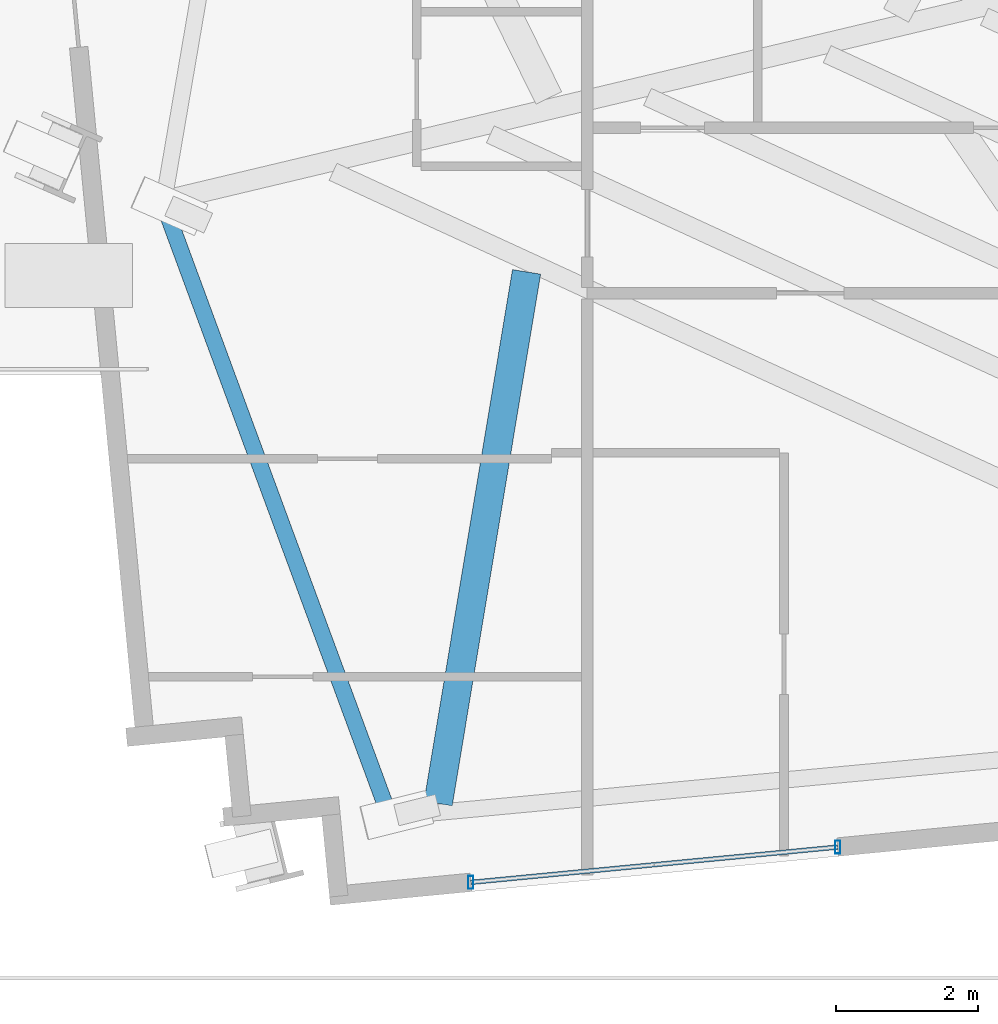
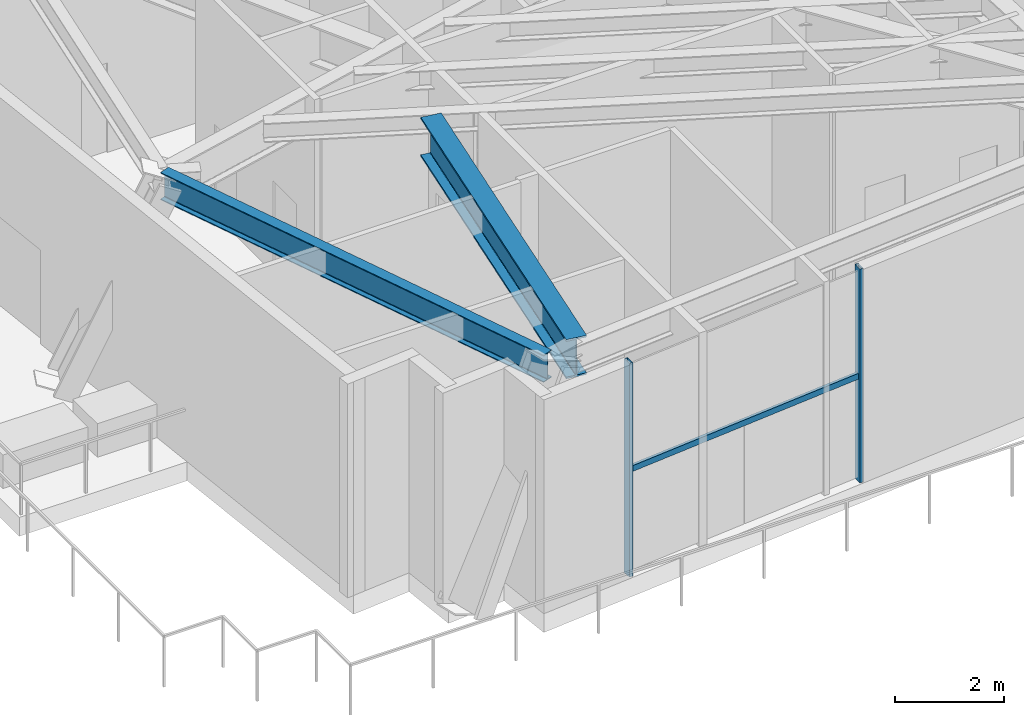
# One storey, part 2 of 28: 3 members, 2 beams, 1 element without a shape of its own.
"""IFC4 building model written with IfcOpenShell, lengths in metres."""

from ifc_helpers import new_model, si_unit, direction, frame, origin, origin_2d, place, context, subcontext, project, spatial, hollow_rectangle, i_section, extrude, source, transform, mapped, material, material_profile, profile_set, type_object, type_shapes, element, aggregate, save


model = new_model("IFC4")

# Units and contexts
model_context = context("Model", 3, precision=1e-05, world=origin(), true_north=direction((0.0, 1.0)))
body_context = subcontext(model_context, "Body", "Model", "MODEL_VIEW")
ifc_project = project(units=[si_unit("LENGTHUNIT", "METRE"), si_unit("AREAUNIT", "SQUARE_METRE"), si_unit("VOLUMEUNIT", "CUBIC_METRE"), si_unit("PLANEANGLEUNIT", "RADIAN"), si_unit("MASSUNIT", "GRAM", prefix="KILO")], contexts=[model_context])

# Site, building, storey
site_placement = place(None, origin())
site = spatial("IfcSite", under=ifc_project, at=site_placement, CompositionType="ELEMENT")
building_placement = place(site_placement, origin())
building = spatial("IfcBuilding", under=site, at=building_placement, Name="Astriad Promenade Condominiums", CompositionType="ELEMENT")
storey_placement = place(building_placement, frame((0.0, 0.0, 72.60009765625)))
storey = spatial("IfcBuildingStorey", under=building, at=storey_placement, Name="L20", CompositionType="ELEMENT", Elevation=72.60009765625)

# Beams
ifc_material_1 = material(Name="Steel ASTM A992 Grade 50", Category="steel")
ifc_material_profile_1 = material_profile(ifc_material_1, i_section(OverallWidth=0.22900390625, OverallDepth=0.612060546875, WebThickness=0.011962890625, FlangeThickness=0.01953125, FilletRadius=0.017822265625, at=origin_2d()), Name="W24X84")
ifc_profile_set_1 = profile_set([ifc_material_profile_1], Name="Steel ASTM A992 Grade 50")
beam_type_1 = type_object("IfcBeamType", Name="STEEL SPANDREL BEAM W24X84", PredefinedType="SPANDREL", material=ifc_profile_set_1)
shared_shape_1 = source(origin(), body_context, "Body", "SweptSolid", [
    extrude(i_section(OverallWidth=0.22900390625, OverallDepth=0.612060546875, WebThickness=0.011962890625, FlangeThickness=0.01953125, FilletRadius=0.017822265625, at=origin_2d()), origin(), (0.0, 0.0, 1.0), 9.129150390625),
])
type_shapes(beam_type_1, [shared_shape_1])
beam_1_placement = place(storey_placement, frame((10.64599609375, 13.57568359375, 4.473876953125), z_axis=(0.346130401385, -0.93818641284, 0.0), x_axis=(0.93818641284, 0.346130401385, 0.0)))
element("IfcBeam", 1, at=beam_1_placement, inside=storey, type_object=beam_type_1, Name="Perimeter Spandrel Beam SP-W1-L20", PredefinedType="SPANDREL", context=body_context, shape_type="MappedRepresentation", body=[
    mapped(shared_shape_1, transform((0.0, 0.0, 0.0), scale=1.0)),
])
ifc_material_profile_2 = material_profile(ifc_material_1, i_section(OverallWidth=0.4013671875, OverallDepth=0.877197265625, WebThickness=0.022216796875, FlangeThickness=0.039794921875, FilletRadius=0.02294921875, at=origin_2d()), Name="W33X263")
ifc_profile_set_2 = profile_set([ifc_material_profile_2], Name="Steel ASTM A992 Grade 50")
beam_type_2 = type_object("IfcBeamType", Name="STEEL TRANSFER CARRIER GIRDER W33X263", PredefinedType="BEAM", material=ifc_profile_set_2)
shared_shape_2 = source(origin(), body_context, "Body", "SweptSolid", [
    extrude(i_section(OverallWidth=0.4013671875, OverallDepth=0.877197265625, WebThickness=0.022216796875, FlangeThickness=0.039794921875, FilletRadius=0.02294921875, at=origin_2d()), origin(), (0.0, 0.0, 1.0), 7.58984375),
])
type_shapes(beam_type_2, [shared_shape_2])
beam_2_placement = place(storey_placement, frame((15.747314453125, 12.648681640625, 4.34130859375), z_axis=(-0.164117299835, -0.986440830407, 0.0), x_axis=(0.986440830407, -0.164117299835, 0.0)))
element("IfcBeam", 2, at=beam_2_placement, inside=storey, type_object=beam_type_2, Name="Transfer Splice Carrier TRM-SP-PC01-L20", PredefinedType="BEAM", context=body_context, shape_type="MappedRepresentation", body=[
    mapped(shared_shape_2, transform((0.0, 0.0, 0.0), scale=1.0)),
])

# Curtain wall, members
ifc_material_2 = material(Name="Anodised aluminium Black Dark Glass Unitised", Category="aluminium")
curtain_wall_type = type_object("IfcCurtainWallType", Name="CW-B2-DARK", PredefinedType="USERDEFINED", material=ifc_material_2)
curtain_wall_placement = place(storey_placement, origin())
curtain_wall = element("IfcCurtainWall", 3, at=curtain_wall_placement, inside=storey, type_object=curtain_wall_type, Name="CW-L20-S-4", ObjectType="UNITISED_CURTAIN_WALL", PredefinedType="USERDEFINED")
ifc_material_3 = material(Name="Anodised aluminium 6063-T6 Black", Category="aluminium")
ifc_material_profile_3 = material_profile(ifc_material_3, hollow_rectangle(XDim=0.074951171875, YDim=0.18505859375, WallThickness=0.00439453125, at=origin_2d()), Name="ALU-MUL-75X185")
ifc_profile_set_3 = profile_set([ifc_material_profile_3], Name="Anodised aluminium 6063-T6 Black")
member_type_1 = type_object("IfcMemberType", Name="MUL-ALU-MUL-75X185", PredefinedType="MULLION", material=ifc_profile_set_3)
shared_shape_3 = source(origin(), body_context, "Body", "SweptSolid", [
    extrude(hollow_rectangle(XDim=0.074951171875, YDim=0.18505859375, WallThickness=0.00439453125, at=origin_2d()), origin(), (0.0, 0.0, 1.0), 4.77978515625),
])
type_shapes(member_type_1, [shared_shape_3])
member_1_placement = place(storey_placement, frame((20.128662109375, 4.5478515625, 0.0), z_axis=(0.0, 0.0, 1.0), x_axis=(1.0, 0.0, 0.0)))
member_1 = element("IfcMember", 4, at=member_1_placement, type_object=member_type_1, Name="CW-L20-S-4-MUL-00", PredefinedType="MULLION", context=body_context, shape_type="MappedRepresentation", body=[
    mapped(shared_shape_3, transform((0.0, 0.0, 0.0), scale=1.0)),
])
member_2_placement = place(storey_placement, frame((14.96240234375, 4.050537109375, 0.0), z_axis=(0.0, 0.0, 1.0), x_axis=(1.0, 0.0, 0.0)))
member_2 = element("IfcMember", 5, at=member_2_placement, type_object=member_type_1, Name="CW-L20-S-4-MUL-01", PredefinedType="MULLION", context=body_context, shape_type="MappedRepresentation", body=[
    mapped(shared_shape_3, transform((0.0, 0.0, 0.0), scale=1.0)),
])
ifc_material_profile_4 = material_profile(ifc_material_3, hollow_rectangle(XDim=0.06494140625, YDim=0.1298828125, WallThickness=0.00390625, at=origin_2d()), Name="ALU-TRN-65X130")
ifc_profile_set_4 = profile_set([ifc_material_profile_4], Name="Anodised aluminium 6063-T6 Black")
member_type_2 = type_object("IfcMemberType", Name="TRN-ALU-TRN-65X130", PredefinedType="USERDEFINED", material=ifc_profile_set_4)
shared_shape_4 = source(origin(), body_context, "Body", "SweptSolid", [
    extrude(hollow_rectangle(XDim=0.06494140625, YDim=0.1298828125, WallThickness=0.00390625, at=origin_2d()), origin(), (0.0, 0.0, 1.0), 5.190185546875),
])
type_shapes(member_type_2, [shared_shape_4])
member_3_placement = place(storey_placement, frame((20.128662109375, 4.5478515625, 2.349853515625), z_axis=(-0.995398767472, -0.095819067593, 0.0), x_axis=(0.095819067593, -0.995398767472, 0.0)))
member_3 = element("IfcMember", 6, at=member_3_placement, type_object=member_type_2, Name="CW-L20-S-4-TRN-00-0", ObjectType="TRANSOM", PredefinedType="USERDEFINED", context=body_context, shape_type="MappedRepresentation", body=[
    mapped(shared_shape_4, transform((0.0, 0.0, 0.0), scale=1.0)),
])
aggregate(curtain_wall, [member_1, member_2, member_3])

save(model, "model.ifc")
